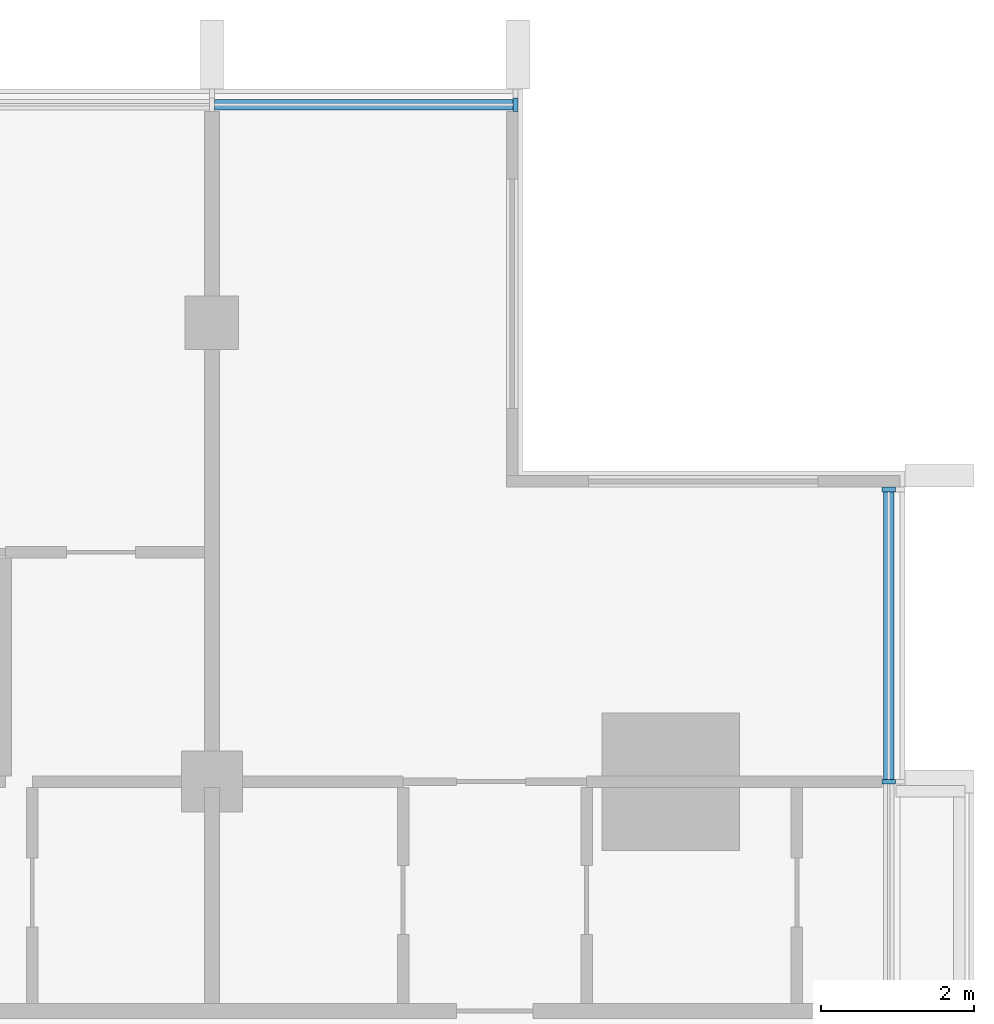
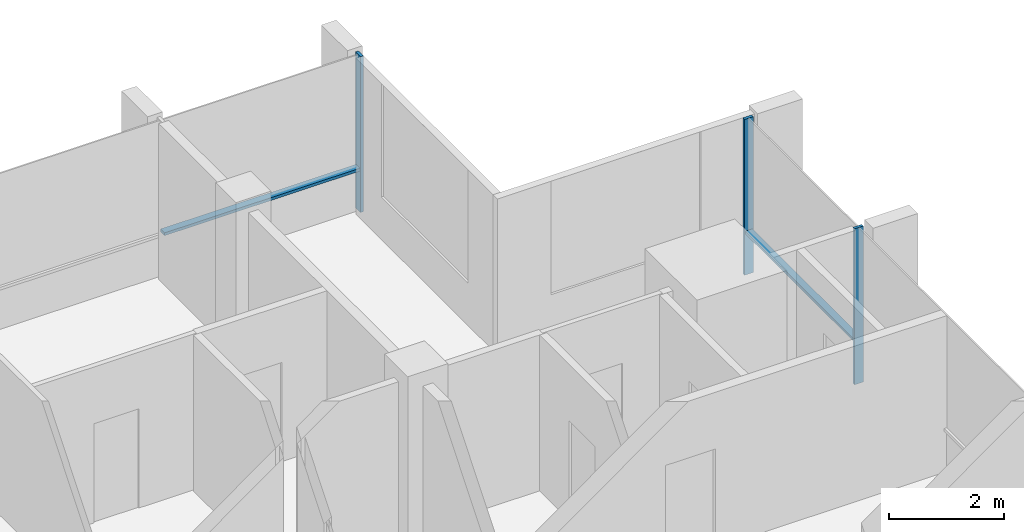
# One storey, part 5 of 16: 5 members, 2 elements without a shape of their own.
"""IFC4 building model written with IfcOpenShell, lengths in metres."""

from ifc_helpers import new_model, si_unit, direction, frame, origin, origin_2d, place, context, subcontext, project, spatial, rectangle, extrude, material, material_profile, profile_set, type_object, element, aggregate, save


model = new_model("IFC4")

# Units and contexts
model_context = context("Model", 3, precision=1e-05, world=origin(), true_north=direction((0.0, 1.0)))
body_context = subcontext(model_context, "Body", "Model", "MODEL_VIEW")
ifc_project = project(units=[si_unit("LENGTHUNIT", "METRE"), si_unit("AREAUNIT", "SQUARE_METRE"), si_unit("VOLUMEUNIT", "CUBIC_METRE"), si_unit("PLANEANGLEUNIT", "RADIAN"), si_unit("MASSUNIT", "GRAM", prefix="KILO")], contexts=[model_context])

# Site, building, storey
site_placement = place(None, origin())
site = spatial("IfcSite", under=ifc_project, at=site_placement, CompositionType="ELEMENT")
building_placement = place(site_placement, origin())
building = spatial("IfcBuilding", under=site, at=building_placement, Name="Finial Court Residences", CompositionType="ELEMENT")
storey_placement = place(building_placement, frame((0.0, 0.0, 291.5)))
storey = spatial("IfcBuildingStorey", under=building, at=storey_placement, Name="L74", CompositionType="ELEMENT", Elevation=291.5)

# Curtain wall, member
ifc_material = material(Name="Bronze anodised aluminium", Category="aluminium")
curtain_wall_type = type_object("IfcCurtainWallType", Name="Unitised curtain wall, upper zones", PredefinedType="NOTDEFINED", material=ifc_material)
curtain_wall_1_placement = place(storey_placement, origin())
curtain_wall_1 = element("IfcCurtainWall", 1, at=curtain_wall_1_placement, inside=storey, type_object=curtain_wall_type, Name="E-L74-CW-N3", PredefinedType="NOTDEFINED")
ifc_material_profile_1 = material_profile(ifc_material, rectangle(XDim=0.175048828125, YDim=0.06005859375, at=origin_2d()), Name="CW2 mullion 60 x 175")
ifc_profile_set_1 = profile_set([ifc_material_profile_1], Name="Bronze anodised aluminium")
member_type_1 = type_object("IfcMemberType", Name="CW2 mullion 60 x 175", PredefinedType="MULLION", material=ifc_profile_set_1)
member_1_placement = place(storey_placement, frame((14.469970703125, 16.35009765625, 0.0), z_axis=(0.0, 0.0, 1.0), x_axis=(0.0, 1.0, 0.0)))
member_1 = element("IfcMember", 2, at=member_1_placement, type_object=member_type_1, Name="CW2 mullion 3", PredefinedType="MULLION", context=body_context, shape_type="SweptSolid", body=[
    extrude(rectangle(XDim=0.175048828125, YDim=0.06005859375, at=origin_2d()), origin(), (0.0, 0.0, 1.0), 3.300048828125),
])

# Curtain wall, members
curtain_wall_2_placement = place(storey_placement, origin())
curtain_wall_2 = element("IfcCurtainWall", 3, at=curtain_wall_2_placement, inside=storey, type_object=curtain_wall_type, Name="E-L74-CW-E6", PredefinedType="NOTDEFINED")
member_2_placement = place(storey_placement, frame((19.35009765625, 7.5, 0.0), z_axis=(0.0, 0.0, 1.0), x_axis=(-1.0, 0.0, 0.0)))
member_2 = element("IfcMember", 4, at=member_2_placement, type_object=member_type_1, Name="CW2 mullion 2", PredefinedType="MULLION", context=body_context, shape_type="SweptSolid", body=[
    extrude(rectangle(XDim=0.175048828125, YDim=0.06005859375, at=origin_2d()), origin(), (0.0, 0.0, 1.0), 3.300048828125),
])
member_3_placement = place(storey_placement, frame((19.35009765625, 11.320068359375, 0.0), z_axis=(0.0, 0.0, 1.0), x_axis=(-1.0, 0.0, 0.0)))
member_3 = element("IfcMember", 5, at=member_3_placement, type_object=member_type_1, Name="CW2 mullion 3", PredefinedType="MULLION", context=body_context, shape_type="SweptSolid", body=[
    extrude(rectangle(XDim=0.175048828125, YDim=0.06005859375, at=origin_2d()), origin(), (0.0, 0.0, 1.0), 3.300048828125),
])

# Member
ifc_material_profile_2 = material_profile(ifc_material, rectangle(XDim=0.139892578125, YDim=0.06005859375, at=origin_2d()), Name="CW2 transom 60 x 140")
ifc_profile_set_2 = profile_set([ifc_material_profile_2], Name="Bronze anodised aluminium")
member_type_2 = type_object("IfcMemberType", Name="CW2 transom 60 x 140", PredefinedType="USERDEFINED", material=ifc_profile_set_2)
member_4_placement = place(storey_placement, frame((10.530029296875, 16.35009765625, 0.89990234375), z_axis=(1.0, 0.0, 0.0), x_axis=(0.0, 1.0, 0.0)))
member_4 = element("IfcMember", 6, at=member_4_placement, type_object=member_type_2, Name="CW2 transom 2.1", ObjectType="TRANSOM", PredefinedType="USERDEFINED", context=body_context, shape_type="SweptSolid", body=[
    extrude(rectangle(XDim=0.139892578125, YDim=0.06005859375, at=origin_2d()), origin(), (0.0, 0.0, 1.0), 3.909912109375),
])

aggregate(curtain_wall_1, [member_1, member_4])

member_5_placement = place(storey_placement, frame((19.35009765625, 7.530029296875, 0.89990234375), z_axis=(0.0, 1.0, 0.0), x_axis=(-1.0, 0.0, 0.0)))
member_5 = element("IfcMember", 7, at=member_5_placement, type_object=member_type_2, Name="CW2 transom 2.1", ObjectType="TRANSOM", PredefinedType="USERDEFINED", context=body_context, shape_type="SweptSolid", body=[
    extrude(rectangle(XDim=0.139892578125, YDim=0.06005859375, at=origin_2d()), origin(), (0.0, 0.0, 1.0), 3.760009765625),
])

aggregate(curtain_wall_2, [member_2, member_3, member_5])

save(model, "model.ifc")
